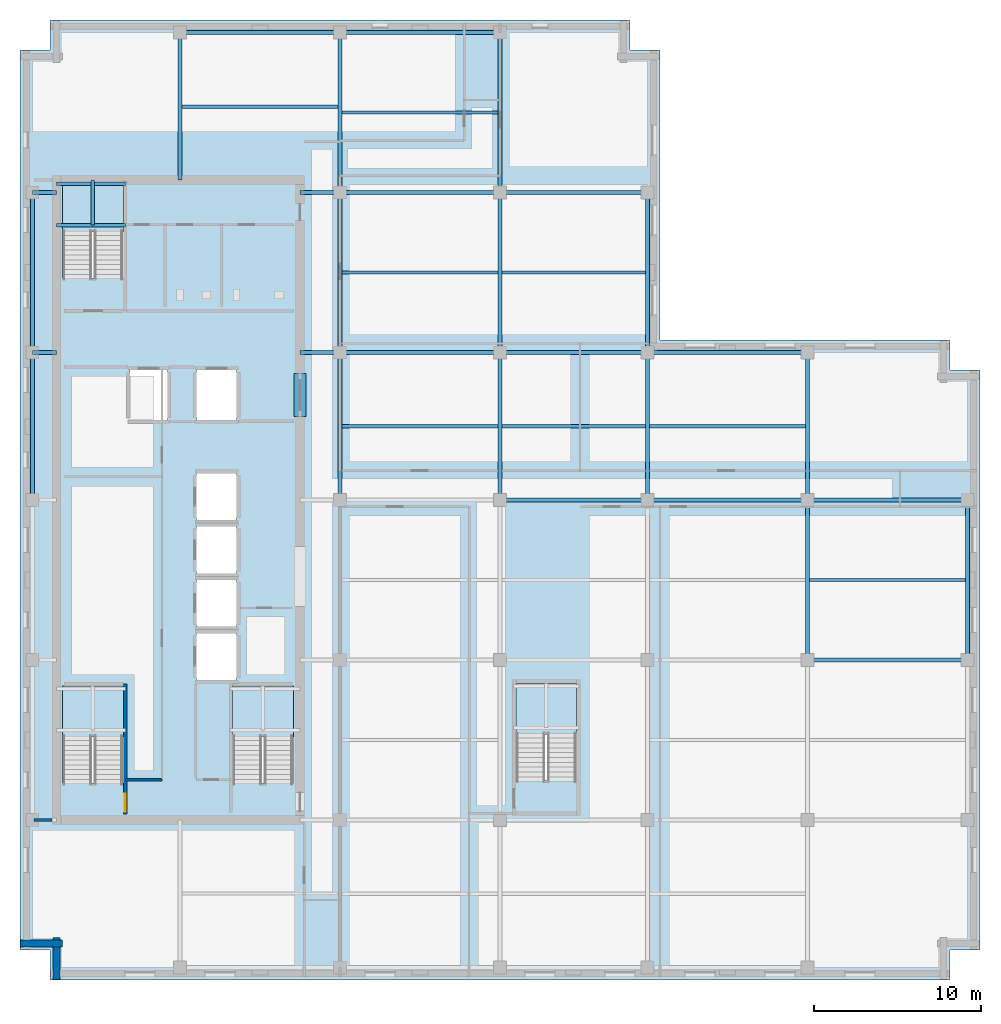
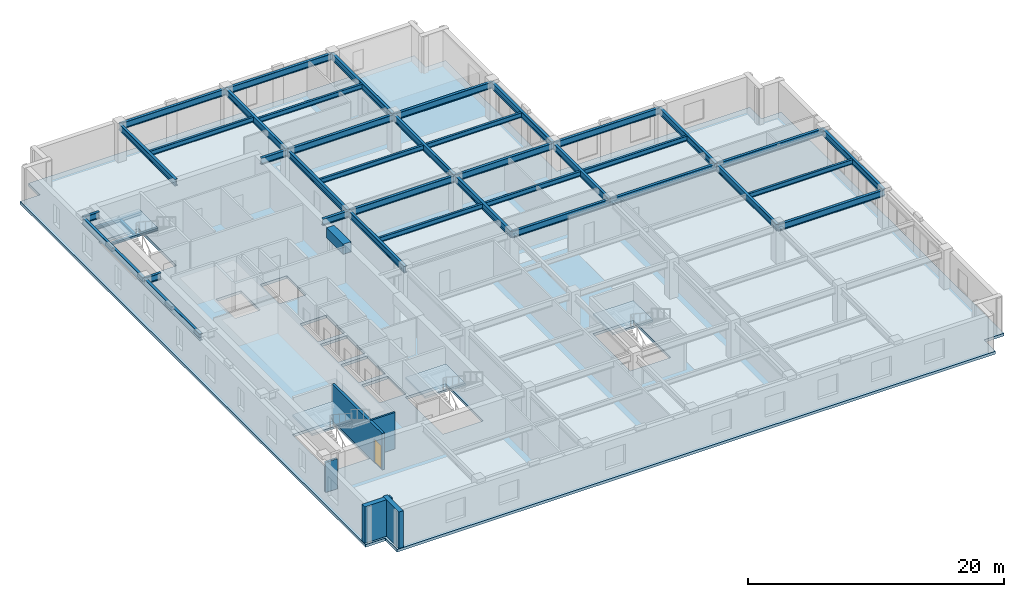
# One storey, part 2 of 11: 41 beams, 5 slabs, 5 walls, 1 door, 1 opening, 4 elements without a shape of their own.
"""IFC4 building model written with IfcOpenShell, lengths in metres."""

from ifc_helpers import new_model, si_unit, direction, frame, frame_2d, origin, origin_2d, place, context, subcontext, project, spatial, polyline, rectangle, i_section, outline, extrude, material, layer, layer_set, material_profile, profile_set, type_object, element, fill, aggregate, save


model = new_model("IFC4")

# Units and contexts
model_context = context("Model", 3, precision=1e-05, world=origin(), true_north=direction((0.0, 1.0)))
body_context = subcontext(model_context, "Body", "Model", "MODEL_VIEW")
ifc_project = project(units=[si_unit("LENGTHUNIT", "METRE"), si_unit("AREAUNIT", "SQUARE_METRE"), si_unit("VOLUMEUNIT", "CUBIC_METRE"), si_unit("PLANEANGLEUNIT", "RADIAN"), si_unit("MASSUNIT", "GRAM", prefix="KILO")], contexts=[model_context])

# Site, building, storey
site_placement = place(None, origin())
site = spatial("IfcSite", under=ifc_project, at=site_placement, CompositionType="ELEMENT")
building_placement = place(site_placement, origin())
building = spatial("IfcBuilding", under=site, at=building_placement, Name="Norrvale University Quadrangle", CompositionType="ELEMENT")
storey_placement = place(building_placement, frame((0.0, 0.0, 252.199951171875)))
storey = spatial("IfcBuildingStorey", under=building, at=storey_placement, Name="L64", CompositionType="ELEMENT", Elevation=252.199951171875)

# Beams
ifc_material_1 = material(Name="Concrete C80/95", Category="concrete")
ifc_material_profile_1 = material_profile(ifc_material_1, rectangle(XDim=0.699951171875, YDim=0.949951171875, at=origin_2d()), Name="Concrete C80/95")
ifc_profile_set_1 = profile_set([ifc_material_profile_1], Name="Concrete C80/95")
beam_type_1 = type_object("IfcBeamType", Name="Beam Core Link 700x950", PredefinedType="LINTEL", material=ifc_profile_set_1)
beam_1_placement = place(storey_placement, frame((16.800048828125, 33.800048828125, 3.005126953125), z_axis=(0.0, 1.0, 0.0), x_axis=(-1.0, 0.0, 0.0)))
element("IfcBeam", 1, at=beam_1_placement, inside=storey, type_object=beam_type_1, Name="Core Coupling Lintel Beam L64-2", PredefinedType="LINTEL", context=body_context, shape_type="SweptSolid", body=[
    extrude(rectangle(XDim=0.699951171875, YDim=0.949951171875, at=origin_2d()), origin(), (0.0, 0.0, 1.0), 2.599853515625),
])
ifc_material_2 = material(Name="Steel 350W", Category="steel")
ifc_material_profile_2 = material_profile(ifc_material_2, i_section(OverallWidth=0.18994140625, OverallDepth=0.45703125, WebThickness=0.009033203125, FlangeThickness=0.014404296875, FilletRadius=0.012939453125, at=origin_2d()), Name="Steel 350W")
ifc_profile_set_2 = profile_set([ifc_material_profile_2], Name="Steel 350W")
beam_type_2 = type_object("IfcBeamType", Name="Beam Floor W460x74", PredefinedType="JOIST", material=ifc_profile_set_2)
for number, where, z_axis, x_axis, name in (
    (2, (19.31494140625, 33.22509765625, 3.25146484375), (1.0, 0.0, 0.0), (0.0, 1.0, 0.0), "Beam Floor W460x74 BM-L64-J064"),
    (3, (19.31494140625, 42.449951171875, 3.25146484375), (1.0, 0.0, 0.0), (0.0, 1.0, 0.0), "Beam Floor W460x74 BM-L64-J065"),
    (4, (19.31494140625, 52.050048828125, 3.25146484375), (1.0, 0.0, 0.0), (0.0, 1.0, 0.0), "Beam Floor W460x74 BM-L64-J066"),
):
    element("IfcBeam", number, at=place(storey_placement, frame(where, z_axis=z_axis, x_axis=x_axis)), inside=storey, type_object=beam_type_2, Name=name, PredefinedType="JOIST", context=body_context, shape_type="SweptSolid", body=[
        extrude(i_section(OverallWidth=0.18994140625, OverallDepth=0.45703125, WebThickness=0.009033203125, FlangeThickness=0.014404296875, FilletRadius=0.012939453125, at=origin_2d()), origin(), (0.0, 0.0, 1.0), 9.3701171875),
    ])
for number, where, z_axis, x_axis, name in (
    (5, (28.9150390625, 33.22509765625, 3.25146484375), (1.0, 0.0, 0.0), (0.0, 1.0, 0.0), "Beam Floor W460x74 BM-L64-J069"),
    (6, (28.9150390625, 42.449951171875, 3.25146484375), (1.0, 0.0, 0.0), (0.0, 1.0, 0.0), "Beam Floor W460x74 BM-L64-J070"),
):
    element("IfcBeam", number, at=place(storey_placement, frame(where, z_axis=z_axis, x_axis=x_axis)), inside=storey, type_object=beam_type_2, Name=name, PredefinedType="JOIST", context=body_context, shape_type="SweptSolid", body=[
        extrude(i_section(OverallWidth=0.18994140625, OverallDepth=0.45703125, WebThickness=0.009033203125, FlangeThickness=0.014404296875, FilletRadius=0.012939453125, at=origin_2d()), origin(), (0.0, 0.0, 1.0), 8.619873046875),
    ])
for number, where, z_axis, x_axis, name in (
    (7, (37.764892578125, 33.22509765625, 3.25146484375), (1.0, 0.0, 0.0), (0.0, 1.0, 0.0), "Beam Floor W460x74 BM-L64-J074"),
    (8, (47.364990234375, 24.0, 3.25146484375), (1.0, 0.0, 0.0), (0.0, 1.0, 0.0), "Beam Floor W460x74 BM-L64-J076"),
):
    element("IfcBeam", number, at=place(storey_placement, frame(where, z_axis=z_axis, x_axis=x_axis)), inside=storey, type_object=beam_type_2, Name=name, PredefinedType="JOIST", context=body_context, shape_type="SweptSolid", body=[
        extrude(i_section(OverallWidth=0.18994140625, OverallDepth=0.45703125, WebThickness=0.009033203125, FlangeThickness=0.014404296875, FilletRadius=0.012939453125, at=origin_2d()), origin(), (0.0, 0.0, 1.0), 9.3701171875),
    ])
beam_2_placement = place(storey_placement, frame((9.715087890625, 52.39990234375, 3.25146484375), z_axis=(1.0, 0.0, 0.0), x_axis=(0.0, 1.0, 0.0)))
element("IfcBeam", 9, at=beam_2_placement, inside=storey, type_object=beam_type_2, Name="Beam Floor W460x74 BM-L64-JCN080", PredefinedType="JOIST", context=body_context, shape_type="SweptSolid", body=[
    extrude(i_section(OverallWidth=0.18994140625, OverallDepth=0.45703125, WebThickness=0.009033203125, FlangeThickness=0.014404296875, FilletRadius=0.012939453125, at=origin_2d()), origin(), (0.0, 0.0, 1.0), 9.369873046875),
])
ifc_material_profile_3 = material_profile(ifc_material_2, i_section(OverallWidth=0.22998046875, OverallDepth=0.616943359375, WebThickness=0.01318359375, FlangeThickness=0.022216796875, FilletRadius=0.01611328125, at=origin_2d()), Name="Steel 350W")
ifc_profile_set_3 = profile_set([ifc_material_profile_3], Name="Steel 350W")
beam_type_3 = type_object("IfcBeamType", Name="Beam Floor W610x140", PredefinedType="BEAM", material=ifc_profile_set_3)
beam_3_placement = place(storey_placement, frame((47.25, 19.199951171875, 3.171630859375), z_axis=(1.0, 0.0, 0.0), x_axis=(0.0, 1.0, 0.0)))
element("IfcBeam", 10, at=beam_3_placement, inside=storey, type_object=beam_type_3, Name="Beam Floor W610x140 BM-L64-GX012", PredefinedType="BEAM", context=body_context, shape_type="SweptSolid", body=[
    extrude(i_section(OverallWidth=0.22998046875, OverallDepth=0.616943359375, WebThickness=0.01318359375, FlangeThickness=0.022216796875, FilletRadius=0.01611328125, at=origin_2d()), origin(), (0.0, 0.0, 1.0), 9.60009765625),
])
beam_4_placement = place(storey_placement, frame((28.800048828125, 28.800048828125, 3.171630859375), z_axis=(1.0, 0.0, 0.0), x_axis=(0.0, 1.0, 0.0)))
element("IfcBeam", 11, at=beam_4_placement, inside=storey, type_object=beam_type_3, Name="Beam Floor W610x140 BM-L64-GX014", PredefinedType="BEAM", context=body_context, shape_type="SweptSolid", body=[
    extrude(i_section(OverallWidth=0.22998046875, OverallDepth=0.616943359375, WebThickness=0.01318359375, FlangeThickness=0.022216796875, FilletRadius=0.01611328125, at=origin_2d()), origin(), (0.0, 0.0, 1.0), 8.849853515625),
])
for number, where, z_axis, x_axis, name in (
    (12, (37.64990234375, 28.800048828125, 3.171630859375), (1.0, 0.0, 0.0), (0.0, 1.0, 0.0), "Beam Floor W610x140 BM-L64-GX015"),
    (13, (47.25, 28.800048828125, 3.171630859375), (1.0, 0.0, 0.0), (0.0, 1.0, 0.0), "Beam Floor W610x140 BM-L64-GX016"),
    (14, (19.199951171875, 37.64990234375, 3.171630859375), (1.0, 0.0, 0.0), (0.0, 1.0, 0.0), "Beam Floor W610x140 BM-L64-GX017"),
):
    element("IfcBeam", number, at=place(storey_placement, frame(where, z_axis=z_axis, x_axis=x_axis)), inside=storey, type_object=beam_type_3, Name=name, PredefinedType="BEAM", context=body_context, shape_type="SweptSolid", body=[
        extrude(i_section(OverallWidth=0.22998046875, OverallDepth=0.616943359375, WebThickness=0.01318359375, FlangeThickness=0.022216796875, FilletRadius=0.01611328125, at=origin_2d()), origin(), (0.0, 0.0, 1.0), 9.60009765625),
    ])
beam_5_placement = place(storey_placement, frame((28.800048828125, 37.64990234375, 3.171630859375), z_axis=(1.0, 0.0, 0.0), x_axis=(0.0, 1.0, 0.0)))
element("IfcBeam", 15, at=beam_5_placement, inside=storey, type_object=beam_type_3, Name="Beam Floor W610x140 BM-L64-GX018", PredefinedType="BEAM", context=body_context, shape_type="SweptSolid", body=[
    extrude(i_section(OverallWidth=0.22998046875, OverallDepth=0.616943359375, WebThickness=0.01318359375, FlangeThickness=0.022216796875, FilletRadius=0.01611328125, at=origin_2d()), origin(), (0.0, 0.0, 1.0), 8.849853515625),
])
for number, where, z_axis, x_axis, name in (
    (16, (37.64990234375, 37.64990234375, 3.171630859375), (1.0, 0.0, 0.0), (0.0, 1.0, 0.0), "Beam Floor W610x140 BM-L64-GX019"),
    (17, (19.199951171875, 47.25, 3.171630859375), (1.0, 0.0, 0.0), (0.0, 1.0, 0.0), "Beam Floor W610x140 BM-L64-GX020"),
):
    element("IfcBeam", number, at=place(storey_placement, frame(where, z_axis=z_axis, x_axis=x_axis)), inside=storey, type_object=beam_type_3, Name=name, PredefinedType="BEAM", context=body_context, shape_type="SweptSolid", body=[
        extrude(i_section(OverallWidth=0.22998046875, OverallDepth=0.616943359375, WebThickness=0.01318359375, FlangeThickness=0.022216796875, FilletRadius=0.01611328125, at=origin_2d()), origin(), (0.0, 0.0, 1.0), 9.60009765625),
    ])
beam_6_placement = place(storey_placement, frame((28.800048828125, 47.25, 3.171630859375), z_axis=(1.0, 0.0, 0.0), x_axis=(0.0, 1.0, 0.0)))
element("IfcBeam", 18, at=beam_6_placement, inside=storey, type_object=beam_type_3, Name="Beam Floor W610x140 BM-L64-GX021", PredefinedType="BEAM", context=body_context, shape_type="SweptSolid", body=[
    extrude(i_section(OverallWidth=0.22998046875, OverallDepth=0.616943359375, WebThickness=0.01318359375, FlangeThickness=0.022216796875, FilletRadius=0.01611328125, at=origin_2d()), origin(), (0.0, 0.0, 1.0), 8.849853515625),
])
beam_7_placement = place(storey_placement, frame((9.60009765625, 56.85009765625, 3.171630859375), z_axis=(1.0, 0.0, 0.0), x_axis=(0.0, 1.0, 0.0)))
element("IfcBeam", 19, at=beam_7_placement, inside=storey, type_object=beam_type_3, Name="Beam Floor W610x140 BM-L64-GX022", PredefinedType="BEAM", context=body_context, shape_type="SweptSolid", body=[
    extrude(i_section(OverallWidth=0.22998046875, OverallDepth=0.616943359375, WebThickness=0.01318359375, FlangeThickness=0.022216796875, FilletRadius=0.01611328125, at=origin_2d()), origin(), (0.0, 0.0, 1.0), 9.599853515625),
])
beam_8_placement = place(storey_placement, frame((19.199951171875, 56.85009765625, 3.171630859375), z_axis=(1.0, 0.0, 0.0), x_axis=(0.0, 1.0, 0.0)))
element("IfcBeam", 20, at=beam_8_placement, inside=storey, type_object=beam_type_3, Name="Beam Floor W610x140 BM-L64-GX023", PredefinedType="BEAM", context=body_context, shape_type="SweptSolid", body=[
    extrude(i_section(OverallWidth=0.22998046875, OverallDepth=0.616943359375, WebThickness=0.01318359375, FlangeThickness=0.022216796875, FilletRadius=0.01611328125, at=origin_2d()), origin(), (0.0, 0.0, 1.0), 9.60009765625),
])
beam_9_placement = place(storey_placement, frame((0.75, 28.800048828125, 3.171630859375), z_axis=(0.0, 1.0, 0.0), x_axis=(-1.0, 0.0, 0.0)))
element("IfcBeam", 21, at=beam_9_placement, inside=storey, type_object=beam_type_3, Name="Beam Floor W610x140 BM-L64-GY026", PredefinedType="BEAM", context=body_context, shape_type="SweptSolid", body=[
    extrude(i_section(OverallWidth=0.22998046875, OverallDepth=0.616943359375, WebThickness=0.01318359375, FlangeThickness=0.022216796875, FilletRadius=0.01611328125, at=origin_2d()), origin(), (0.0, 0.0, 1.0), 8.849853515625),
])
beam_10_placement = place(storey_placement, frame((0.75, 37.64990234375, 3.171630859375), z_axis=(0.0, 1.0, 0.0), x_axis=(-1.0, 0.0, 0.0)))
element("IfcBeam", 22, at=beam_10_placement, inside=storey, type_object=beam_type_3, Name="Beam Floor W610x140 BM-L64-GY027", PredefinedType="BEAM", context=body_context, shape_type="SweptSolid", body=[
    extrude(i_section(OverallWidth=0.22998046875, OverallDepth=0.616943359375, WebThickness=0.01318359375, FlangeThickness=0.022216796875, FilletRadius=0.01611328125, at=origin_2d()), origin(), (0.0, 0.0, 1.0), 9.60009765625),
])
beam_11_placement = place(storey_placement, frame((19.199951171875, 28.800048828125, 3.171630859375), z_axis=(0.0, 1.0, 0.0), x_axis=(-1.0, 0.0, 0.0)))
element("IfcBeam", 23, at=beam_11_placement, inside=storey, type_object=beam_type_3, Name="Beam Floor W610x140 BM-L64-GY031", PredefinedType="BEAM", context=body_context, shape_type="SweptSolid", body=[
    extrude(i_section(OverallWidth=0.22998046875, OverallDepth=0.616943359375, WebThickness=0.01318359375, FlangeThickness=0.022216796875, FilletRadius=0.01611328125, at=origin_2d()), origin(), (0.0, 0.0, 1.0), 8.849853515625),
])
for number, where, z_axis, x_axis, name in (
    (24, (19.199951171875, 37.64990234375, 3.171630859375), (0.0, 1.0, 0.0), (-1.0, 0.0, 0.0), "Beam Floor W610x140 BM-L64-GY032"),
    (25, (19.199951171875, 47.25, 3.171630859375), (0.0, 1.0, 0.0), (-1.0, 0.0, 0.0), "Beam Floor W610x140 BM-L64-GY033"),
):
    element("IfcBeam", number, at=place(storey_placement, frame(where, z_axis=z_axis, x_axis=x_axis)), inside=storey, type_object=beam_type_3, Name=name, PredefinedType="BEAM", context=body_context, shape_type="SweptSolid", body=[
        extrude(i_section(OverallWidth=0.22998046875, OverallDepth=0.616943359375, WebThickness=0.01318359375, FlangeThickness=0.022216796875, FilletRadius=0.01611328125, at=origin_2d()), origin(), (0.0, 0.0, 1.0), 9.60009765625),
    ])
beam_12_placement = place(storey_placement, frame((28.800048828125, 28.800048828125, 3.171630859375), z_axis=(0.0, 1.0, 0.0), x_axis=(-1.0, 0.0, 0.0)))
element("IfcBeam", 26, at=beam_12_placement, inside=storey, type_object=beam_type_3, Name="Beam Floor W610x140 BM-L64-GY037", PredefinedType="BEAM", context=body_context, shape_type="SweptSolid", body=[
    extrude(i_section(OverallWidth=0.22998046875, OverallDepth=0.616943359375, WebThickness=0.01318359375, FlangeThickness=0.022216796875, FilletRadius=0.01611328125, at=origin_2d()), origin(), (0.0, 0.0, 1.0), 8.849853515625),
])
for number, where, z_axis, x_axis, name in (
    (27, (28.800048828125, 37.64990234375, 3.171630859375), (0.0, 1.0, 0.0), (-1.0, 0.0, 0.0), "Beam Floor W610x140 BM-L64-GY038"),
    (28, (28.800048828125, 47.25, 3.171630859375), (0.0, 1.0, 0.0), (-1.0, 0.0, 0.0), "Beam Floor W610x140 BM-L64-GY039"),
):
    element("IfcBeam", number, at=place(storey_placement, frame(where, z_axis=z_axis, x_axis=x_axis)), inside=storey, type_object=beam_type_3, Name=name, PredefinedType="BEAM", context=body_context, shape_type="SweptSolid", body=[
        extrude(i_section(OverallWidth=0.22998046875, OverallDepth=0.616943359375, WebThickness=0.01318359375, FlangeThickness=0.022216796875, FilletRadius=0.01611328125, at=origin_2d()), origin(), (0.0, 0.0, 1.0), 9.60009765625),
    ])
beam_13_placement = place(storey_placement, frame((37.64990234375, 28.800048828125, 3.171630859375), z_axis=(0.0, 1.0, 0.0), x_axis=(-1.0, 0.0, 0.0)))
element("IfcBeam", 29, at=beam_13_placement, inside=storey, type_object=beam_type_3, Name="Beam Floor W610x140 BM-L64-GY043", PredefinedType="BEAM", context=body_context, shape_type="SweptSolid", body=[
    extrude(i_section(OverallWidth=0.22998046875, OverallDepth=0.616943359375, WebThickness=0.01318359375, FlangeThickness=0.022216796875, FilletRadius=0.01611328125, at=origin_2d()), origin(), (0.0, 0.0, 1.0), 8.849853515625),
])
for number, where, z_axis, x_axis, name in (
    (30, (37.64990234375, 37.64990234375, 3.171630859375), (0.0, 1.0, 0.0), (-1.0, 0.0, 0.0), "Beam Floor W610x140 BM-L64-GY044"),
    (31, (47.25, 19.199951171875, 3.171630859375), (0.0, 1.0, 0.0), (-1.0, 0.0, 0.0), "Beam Floor W610x140 BM-L64-GY047"),
):
    element("IfcBeam", number, at=place(storey_placement, frame(where, z_axis=z_axis, x_axis=x_axis)), inside=storey, type_object=beam_type_3, Name=name, PredefinedType="BEAM", context=body_context, shape_type="SweptSolid", body=[
        extrude(i_section(OverallWidth=0.22998046875, OverallDepth=0.616943359375, WebThickness=0.01318359375, FlangeThickness=0.022216796875, FilletRadius=0.01611328125, at=origin_2d()), origin(), (0.0, 0.0, 1.0), 9.60009765625),
    ])
beam_14_placement = place(storey_placement, frame((47.25, 28.800048828125, 3.171630859375), z_axis=(0.0, 1.0, 0.0), x_axis=(-1.0, 0.0, 0.0)))
element("IfcBeam", 32, at=beam_14_placement, inside=storey, type_object=beam_type_3, Name="Beam Floor W610x140 BM-L64-GY048", PredefinedType="BEAM", context=body_context, shape_type="SweptSolid", body=[
    extrude(i_section(OverallWidth=0.22998046875, OverallDepth=0.616943359375, WebThickness=0.01318359375, FlangeThickness=0.022216796875, FilletRadius=0.01611328125, at=origin_2d()), origin(), (0.0, 0.0, 1.0), 8.849853515625),
])
beam_15_placement = place(storey_placement, frame((56.85009765625, 19.199951171875, 3.171630859375), z_axis=(0.0, 1.0, 0.0), x_axis=(-1.0, 0.0, 0.0)))
element("IfcBeam", 33, at=beam_15_placement, inside=storey, type_object=beam_type_3, Name="Beam Floor W610x140 BM-L64-GY050", PredefinedType="BEAM", context=body_context, shape_type="SweptSolid", body=[
    extrude(i_section(OverallWidth=0.22998046875, OverallDepth=0.616943359375, WebThickness=0.01318359375, FlangeThickness=0.022216796875, FilletRadius=0.01611328125, at=origin_2d()), origin(), (0.0, 0.0, 1.0), 9.60009765625),
])
beam_16_placement = place(storey_placement, frame((0.75, 37.64990234375, 3.171630859375), z_axis=(1.0, 0.0, 0.0), x_axis=(0.0, 1.0, 0.0)))
element("IfcBeam", 34, at=beam_16_placement, inside=storey, type_object=beam_type_3, Name="Beam Floor W610x140 BM-L64-GCW057", PredefinedType="BEAM", context=body_context, shape_type="SweptSolid", body=[
    extrude(i_section(OverallWidth=0.22998046875, OverallDepth=0.616943359375, WebThickness=0.01318359375, FlangeThickness=0.022216796875, FilletRadius=0.01611328125, at=origin_2d()), origin(), (0.0, 0.0, 1.0), 1.449951171875),
])
beam_17_placement = place(storey_placement, frame((16.800048828125, 37.64990234375, 3.171630859375), z_axis=(1.0, 0.0, 0.0), x_axis=(0.0, 1.0, 0.0)))
element("IfcBeam", 35, at=beam_17_placement, inside=storey, type_object=beam_type_3, Name="Beam Floor W610x140 BM-L64-GCE058", PredefinedType="BEAM", context=body_context, shape_type="SweptSolid", body=[
    extrude(i_section(OverallWidth=0.22998046875, OverallDepth=0.616943359375, WebThickness=0.01318359375, FlangeThickness=0.022216796875, FilletRadius=0.01611328125, at=origin_2d()), origin(), (0.0, 0.0, 1.0), 2.39990234375),
])
beam_18_placement = place(storey_placement, frame((0.75, 47.25, 3.171630859375), z_axis=(1.0, 0.0, 0.0), x_axis=(0.0, 1.0, 0.0)))
element("IfcBeam", 36, at=beam_18_placement, inside=storey, type_object=beam_type_3, Name="Beam Floor W610x140 BM-L64-GCW059", PredefinedType="BEAM", context=body_context, shape_type="SweptSolid", body=[
    extrude(i_section(OverallWidth=0.22998046875, OverallDepth=0.616943359375, WebThickness=0.01318359375, FlangeThickness=0.022216796875, FilletRadius=0.01611328125, at=origin_2d()), origin(), (0.0, 0.0, 1.0), 1.449951171875),
])
beam_19_placement = place(storey_placement, frame((16.800048828125, 47.25, 3.171630859375), z_axis=(1.0, 0.0, 0.0), x_axis=(0.0, 1.0, 0.0)))
element("IfcBeam", 37, at=beam_19_placement, inside=storey, type_object=beam_type_3, Name="Beam Floor W610x140 BM-L64-GCE060", PredefinedType="BEAM", context=body_context, shape_type="SweptSolid", body=[
    extrude(i_section(OverallWidth=0.22998046875, OverallDepth=0.616943359375, WebThickness=0.01318359375, FlangeThickness=0.022216796875, FilletRadius=0.01611328125, at=origin_2d()), origin(), (0.0, 0.0, 1.0), 2.39990234375),
])
beam_20_placement = place(storey_placement, frame((9.60009765625, 48.0, 3.171630859375), z_axis=(0.0, 1.0, 0.0), x_axis=(-1.0, 0.0, 0.0)))
element("IfcBeam", 38, at=beam_20_placement, inside=storey, type_object=beam_type_3, Name="Beam Floor W610x140 BM-L64-GCN079", PredefinedType="BEAM", context=body_context, shape_type="SweptSolid", body=[
    extrude(i_section(OverallWidth=0.22998046875, OverallDepth=0.616943359375, WebThickness=0.01318359375, FlangeThickness=0.022216796875, FilletRadius=0.01611328125, at=origin_2d()), origin(), (0.0, 0.0, 1.0), 8.85009765625),
])
ifc_material_profile_4 = material_profile(ifc_material_2, i_section(OverallWidth=0.201904296875, OverallDepth=0.2470703125, WebThickness=0.00732421875, FlangeThickness=0.010986328125, FilletRadius=0.011962890625, at=origin_2d()), Name="Steel 350W")
ifc_profile_set_4 = profile_set([ifc_material_profile_4], Name="Steel 350W")
beam_type_4 = type_object("IfcBeamType", Name="Beam Stair W250x49", PredefinedType="BEAM", material=ifc_profile_set_4)
for number, where, z_axis, x_axis, name in (
    (39, (2.199951171875, 45.2900390625, 1.57666015625), (1.0, 0.0, 0.0), (0.0, 1.0, 0.0), "Stair Mid-Landing Front Beam ST-02 L64"),
    (40, (2.199951171875, 47.77001953125, 1.57666015625), (1.0, 0.0, 0.0), (0.0, 1.0, 0.0), "Stair Mid-Landing Rear Beam ST-02 L64"),
):
    element("IfcBeam", number, at=place(storey_placement, frame(where, z_axis=z_axis, x_axis=x_axis)), inside=storey, type_object=beam_type_4, Name=name, PredefinedType="BEAM", context=body_context, shape_type="SweptSolid", body=[
        extrude(i_section(OverallWidth=0.201904296875, OverallDepth=0.2470703125, WebThickness=0.00732421875, FlangeThickness=0.010986328125, FilletRadius=0.011962890625, at=origin_2d()), origin(), (0.0, 0.0, 1.0), 4.14013671875),
    ])
ifc_material_profile_5 = material_profile(ifc_material_2, i_section(OverallWidth=0.202880859375, OverallDepth=0.202880859375, WebThickness=0.007080078125, FlangeThickness=0.010986328125, FilletRadius=0.010009765625, at=origin_2d()), Name="Steel 350W")
ifc_profile_set_5 = profile_set([ifc_material_profile_5], Name="Steel 350W")
beam_type_5 = type_object("IfcBeamType", Name="Beam Trim W200x46", PredefinedType="BEAM", material=ifc_profile_set_5)
beam_21_placement = place(storey_placement, frame((4.375, 45.2900390625, 1.5986328125), z_axis=(0.0, 1.0, 0.0), x_axis=(-1.0, 0.0, 0.0)))
element("IfcBeam", 41, at=beam_21_placement, inside=storey, type_object=beam_type_5, Name="Stair Mid-Landing Cross Beam ST-02 L64", PredefinedType="BEAM", context=body_context, shape_type="SweptSolid", body=[
    extrude(i_section(OverallWidth=0.202880859375, OverallDepth=0.202880859375, WebThickness=0.007080078125, FlangeThickness=0.010986328125, FilletRadius=0.010009765625, at=origin_2d()), origin(), (0.0, 0.0, 1.0), 2.7099609375),
])

# Stair, slab
ifc_material_3 = material(Name="Concrete C40/50", Category="concrete")
stair_type = type_object("IfcStairType", Name="Stair Tower Typ 3800", PredefinedType="TWO_STRAIGHT_RUN_STAIR", material=ifc_material_3)
stair_1_placement = place(storey_placement, origin())
stair_1 = element("IfcStair", 42, at=stair_1_placement, inside=storey, type_object=stair_type, Name="Exit Stair ST-01 L64", PredefinedType="TWO_STRAIGHT_RUN_STAIR")
ifc_layer_1 = layer(ifc_material_3, 0.199951171875, Name="Concrete C40/50")
ifc_layer_set_1 = layer_set([ifc_layer_1], Name="Concrete C40/50")
slab_type_1 = type_object("IfcSlabType", Name="Slab Landing 200", PredefinedType="LANDING", material=ifc_layer_set_1)
slab_1_placement = place(storey_placement, frame((0.0, 0.0, 1.699951171875)))
slab_1 = element("IfcSlab", 43, at=slab_1_placement, type_object=slab_type_1, Name="Exit Stair ST-01 L64 Mid Landing", PredefinedType="LANDING", context=body_context, shape_type="SweptSolid", body=[
    extrude(outline(polyline([(2.550048828125, 14.590087890625), (6.199951171875, 14.590087890625), (6.199951171875, 17.64990234375), (2.550048828125, 17.64990234375), (2.550048828125, 14.590087890625)])), origin(), (0.0, 0.0, 1.0), 0.2001953125),
])
aggregate(stair_1, [slab_1])

stair_2_placement = place(storey_placement, origin())
stair_2 = element("IfcStair", 44, at=stair_2_placement, inside=storey, type_object=stair_type, Name="Exit Stair ST-02 L64", PredefinedType="TWO_STRAIGHT_RUN_STAIR")
slab_2_placement = place(storey_placement, frame((0.0, 0.0, 1.699951171875)))
slab_2 = element("IfcSlab", 45, at=slab_2_placement, type_object=slab_type_1, Name="Exit Stair ST-02 L64 Mid Landing", PredefinedType="LANDING", context=body_context, shape_type="SweptSolid", body=[
    extrude(outline(polyline([(2.550048828125, 44.889892578125), (6.199951171875, 44.889892578125), (6.199951171875, 47.949951171875), (2.550048828125, 47.949951171875), (2.550048828125, 44.889892578125)])), origin(), (0.0, 0.0, 1.0), 0.2001953125),
])
aggregate(stair_2, [slab_2])

stair_3_placement = place(storey_placement, origin())
stair_3 = element("IfcStair", 46, at=stair_3_placement, inside=storey, type_object=stair_type, Name="Exit Stair ST-03 L64", PredefinedType="TWO_STRAIGHT_RUN_STAIR")
slab_3_placement = place(storey_placement, frame((0.0, 0.0, 1.699951171875)))
slab_3 = element("IfcSlab", 47, at=slab_3_placement, type_object=slab_type_1, Name="Exit Stair ST-03 L64 Mid Landing", PredefinedType="LANDING", context=body_context, shape_type="SweptSolid", body=[
    extrude(outline(polyline([(12.75, 14.590087890625), (16.39990234375, 14.590087890625), (16.39990234375, 17.64990234375), (12.75, 17.64990234375), (12.75, 14.590087890625)])), origin(), (0.0, 0.0, 1.0), 0.2001953125),
])
aggregate(stair_3, [slab_3])

stair_4_placement = place(storey_placement, origin())
stair_4 = element("IfcStair", 48, at=stair_4_placement, inside=storey, type_object=stair_type, Name="Exit Stair ST-04 L64", PredefinedType="TWO_STRAIGHT_RUN_STAIR")
slab_4_placement = place(storey_placement, frame((0.0, 0.0, 1.699951171875)))
slab_4 = element("IfcSlab", 49, at=slab_4_placement, type_object=slab_type_1, Name="Exit Stair ST-04 L64 Mid Landing", PredefinedType="LANDING", context=body_context, shape_type="SweptSolid", body=[
    extrude(outline(polyline([(29.75, 14.739990234375), (33.39990234375, 14.739990234375), (33.39990234375, 17.800048828125), (29.75, 17.800048828125), (29.75, 14.739990234375)])), origin(), (0.0, 0.0, 1.0), 0.2001953125),
])
aggregate(stair_4, [slab_4])

# Slab
ifc_layer_2 = layer(ifc_material_3, 0.260009765625, Name="Concrete C40/50")
ifc_layer_set_2 = layer_set([ifc_layer_2], Name="Concrete C40/50")
slab_type_2 = type_object("IfcSlabType", Name="Slab Tower Typ 260", PredefinedType="FLOOR", material=ifc_layer_set_2)
slab_5_placement = place(storey_placement, frame((0.0, 0.0, -0.260009765625)))
element("IfcSlab", 50, at=slab_5_placement, inside=storey, type_object=slab_type_2, Name="Tower L64 Floor Slab", PredefinedType="FLOOR", context=body_context, shape_type="SweptSolid", body=[
    extrude(outline(polyline([(1.800048828125, 0.0), (55.800048828125, 0.0), (55.800048828125, 1.800048828125), (57.60009765625, 1.800048828125), (57.60009765625, 36.60009765625), (55.800048828125, 36.60009765625), (55.800048828125, 38.39990234375), (38.39990234375, 38.39990234375), (38.39990234375, 55.800048828125), (36.60009765625, 55.800048828125), (36.60009765625, 57.60009765625), (1.800048828125, 57.60009765625), (1.800048828125, 55.800048828125), (0.0, 55.800048828125), (0.0, 1.800048828125), (1.800048828125, 1.800048828125), (1.800048828125, 0.0)]), holes=[polyline([(2.550048828125, 11.81005859375), (6.199951171875, 11.81005859375), (6.199951171875, 17.64990234375), (2.550048828125, 17.64990234375), (2.550048828125, 11.81005859375)]), polyline([(2.550048828125, 42.110107421875), (6.199951171875, 42.110107421875), (6.199951171875, 47.949951171875), (2.550048828125, 47.949951171875), (2.550048828125, 42.110107421875)]), polyline([(12.75, 11.81005859375), (16.39990234375, 11.81005859375), (16.39990234375, 17.64990234375), (12.75, 17.64990234375), (12.75, 11.81005859375)]), polyline([(29.75, 11.9599609375), (33.39990234375, 11.9599609375), (33.39990234375, 17.800048828125), (29.75, 17.800048828125), (29.75, 11.9599609375)]), polyline([(10.60009765625, 18.0), (13.0, 18.0), (13.0, 20.800048828125), (10.60009765625, 20.800048828125), (10.60009765625, 18.0)]), polyline([(10.60009765625, 21.199951171875), (13.0, 21.199951171875), (13.0, 24.0), (10.60009765625, 24.0), (10.60009765625, 21.199951171875)]), polyline([(10.60009765625, 24.39990234375), (13.0, 24.39990234375), (13.0, 27.199951171875), (10.60009765625, 27.199951171875), (10.60009765625, 24.39990234375)]), polyline([(10.60009765625, 27.60009765625), (13.0, 27.60009765625), (13.0, 30.39990234375), (10.60009765625, 30.39990234375), (10.60009765625, 27.60009765625)]), polyline([(6.60009765625, 33.60009765625), (8.85009765625, 33.60009765625), (8.85009765625, 36.60009765625), (6.60009765625, 36.60009765625), (6.60009765625, 33.60009765625)]), polyline([(10.60009765625, 33.60009765625), (13.0, 33.60009765625), (13.0, 36.60009765625), (10.60009765625, 36.60009765625), (10.60009765625, 33.60009765625)])]), origin(), (0.0, 0.0, 1.0), 0.260009765625),
])

# Walls
ifc_material_4 = material(Name="Buff Norman Clay Brick Masonry", Category="masonry")
ifc_layer_3 = layer(ifc_material_4, 0.419921875, Name="Buff Norman Clay Brick Masonry")
ifc_layer_set_3 = layer_set([ifc_layer_3], Name="Buff Norman Clay Brick Masonry")
wall_type_1 = type_object("IfcWallType", Name="Wall Buff Brick 420", PredefinedType="SOLIDWALL", material=ifc_layer_set_3)
for number, where, z_axis, x_axis, name in (
    (51, (0.0400390625, 2.18994140625, 0.0), (0.0, 0.0, 1.0), (1.0, 0.0, 0.0), "Exterior Brick Facade Wall L64-15.1"),
    (52, (2.18994140625, 2.5400390625, 0.0), (0.0, 0.0, 1.0), (0.0, -1.0, 0.0), "Exterior Brick Facade Wall L64-16.1"),
):
    element("IfcWall", number, at=place(storey_placement, frame(where, z_axis=z_axis, x_axis=x_axis)), inside=storey, type_object=wall_type_1, Name=name, PredefinedType="SOLIDWALL", context=body_context, shape_type="SweptSolid", body=[
        extrude(rectangle(XDim=2.5, YDim=0.419921875, at=frame_2d((1.25, 0.0))), origin(), (0.0, 0.0, 1.0), 3.47998046875),
    ])
ifc_material_5 = material(Name="Fire-Rated Gypsum Stud Partition")
ifc_layer_4 = layer(ifc_material_5, 0.14990234375, Name="Fire-Rated Gypsum Stud Partition")
ifc_layer_set_4 = layer_set([ifc_layer_4], Name="Fire-Rated Gypsum Stud Partition")
wall_type_2 = type_object("IfcWallType", Name="Wall Gypsum Corridor 150", PredefinedType="PARTITIONING", material=ifc_layer_set_4)
wall_1_placement = place(storey_placement, frame((6.320068359375, 12.02001953125, 0.0), z_axis=(0.0, 0.0, 1.0), x_axis=(1.0, 0.0, 0.0)))
element("IfcWall", 53, at=wall_1_placement, inside=storey, type_object=wall_type_2, Name="Interior Partition WL-L64-REC-S", PredefinedType="PARTITIONING", context=body_context, shape_type="SweptSolid", body=[
    extrude(rectangle(XDim=2.199951171875, YDim=0.14990234375, at=frame_2d((1.10009765625, 0.0))), origin(), (0.0, 0.0, 1.0), 3.47998046875),
])
ifc_material_6 = material(Name="Concrete Blockwork 20 MPa Rated Wall", Category="masonry")
ifc_layer_5 = layer(ifc_material_6, 0.199951171875, Name="Concrete Blockwork 20 MPa Rated Wall")
ifc_layer_set_5 = layer_set([ifc_layer_5], Name="Concrete Blockwork 20 MPa Rated Wall")
wall_type_3 = type_object("IfcWallType", Name="Wall Lobby 200", PredefinedType="SOLIDWALL", material=ifc_layer_set_5)
wall_2_placement = place(storey_placement, frame((0.85009765625, 9.60009765625, 0.0), z_axis=(0.0, 0.0, 1.0), x_axis=(1.0, 0.0, 0.0)))
element("IfcWall", 54, at=wall_2_placement, inside=storey, type_object=wall_type_3, Name="Interior Partition WL-L64-CWRET-S", PredefinedType="SOLIDWALL", context=body_context, shape_type="SweptSolid", body=[
    extrude(rectangle(XDim=1.06982421875, YDim=0.199951171875, at=frame_2d((0.534912109375, 0.0))), origin(), (0.0, 0.0, 1.0), 2.863037109375),
])

# Wall, opening, door
ifc_material_7 = material(Name="Concrete Blockwork 20 MPa Fire Shaft", Category="masonry")
ifc_layer_6 = layer(ifc_material_7, 0.219970703125, Name="Concrete Blockwork 20 MPa Fire Shaft")
ifc_layer_set_6 = layer_set([ifc_layer_6], Name="Concrete Blockwork 20 MPa Fire Shaft")
wall_type_4 = type_object("IfcWallType", Name="Wall Shaft 220", PredefinedType="SOLIDWALL", material=ifc_layer_set_6)
wall_3_placement = place(storey_placement, frame((6.31005859375, 9.949951171875, 0.0), z_axis=(0.0, 0.0, 1.0), x_axis=(0.0, 1.0, 0.0)))
wall_3 = element("IfcWall", 55, at=wall_3_placement, inside=storey, type_object=wall_type_4, Name="Stair ST-01 East Shaft Wall L64", PredefinedType="SOLIDWALL", context=body_context, shape_type="SweptSolid", body=[
    extrude(rectangle(XDim=7.81005859375, YDim=0.219970703125, at=frame_2d((3.905029296875, 0.0))), origin(), (0.0, 0.0, 1.0), 3.47998046875),
])
opening_placement = place(wall_3_placement, frame((0.139892578125, 0.0, 0.0)))
opening = element("IfcOpeningElement", 56, at=opening_placement, cuts=wall_3, Name="Opening D02", PredefinedType="OPENING", context=body_context, shape_type="SweptSolid", body=[
    extrude(rectangle(XDim=1.10009765625, YDim=2.199951171875, at=frame_2d((0.550048828125, 1.10009765625))), frame((0.0, 0.1220703125, 0.0), z_axis=(0.0, -1.0, 0.0), x_axis=(1.0, 0.0, 0.0)), (0.0, 0.0, 1.0), 0.243896484375),
])
ifc_material_8 = material(Name="Hollow Steel 350W Fire Door", Category="steel")
door_type = type_object("IfcDoorType", Name="Door Stair Exit 1100x2200", OperationType="NOTDEFINED", PredefinedType="DOOR", material=ifc_material_8)
door_placement = place(opening_placement, origin())
door = element("IfcDoor", 57, at=door_placement, inside=storey, type_object=door_type, Name="Door Stair Exit 1100x2200 DR-L64-ST01", OperationType="SINGLE_SWING_LEFT", OverallHeight=2.199951171875, OverallWidth=1.10009765625, PredefinedType="DOOR", context=body_context, shape_type="SweptSolid", body=[
    extrude(rectangle(XDim=1.10009765625, YDim=2.199951171875, at=frame_2d((0.550048828125, 1.10009765625))), frame((0.0, 0.02490234375, 0.0), z_axis=(0.0, -1.0, 0.0), x_axis=(1.0, 0.0, 0.0)), (0.0, 0.0, 1.0), 0.050048828125),
])
fill(opening, door)

save(model, "model.ifc")
